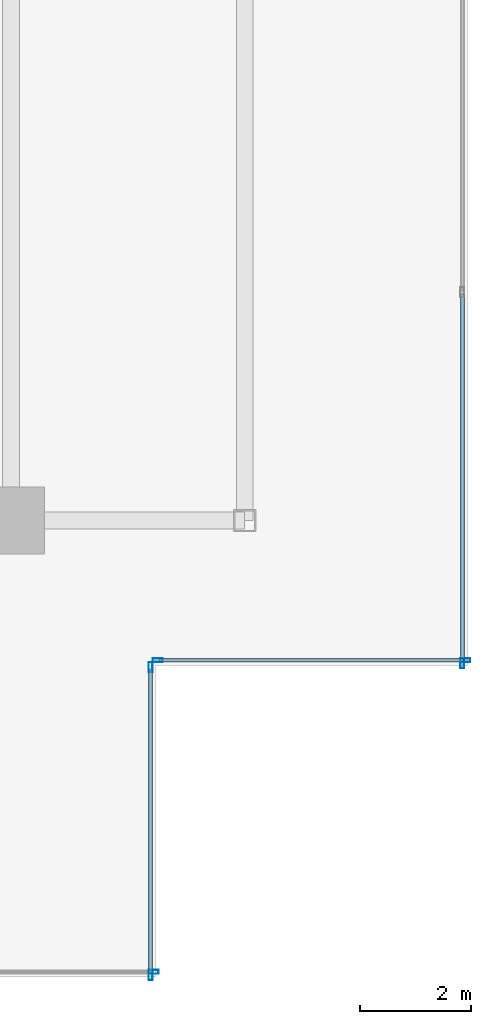
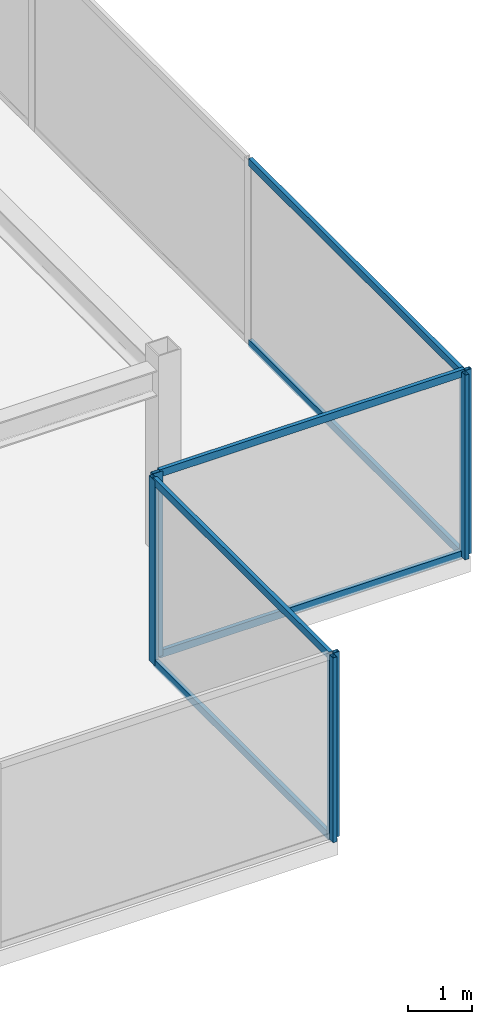
# One storey, part 16 of 25: 12 members, 4 elements without a shape of their own.
"""IFC4 building model written with IfcOpenShell, lengths in metres."""

import ifcopenshell
import ifcopenshell.guid

model = None  # the IFC model being written
_history = None  # IfcOwnerHistory: only IFC2X3 demands one
_inside = {}  # id of a spatial element -> (the spatial element, [elements in it])
_under = {}  # id of a project, library or spatial element -> (it, [spatial elements below it])
_declared = {}  # id of a project -> (the project, [libraries it declares])
_typed = {}  # id of a type object -> (the type object, [elements of that type])
_made_of = {}  # id of a material, layer set ... -> (it, [elements and type objects made of it])


def new_model(schema):
    """Start an empty IFC model of exactly this schema.

    Asked for "IFC4X3", IfcOpenShell would pick the latest addendum, in which some entities
    have other attributes; the version numbers below select the first issue.
    IFC2X3 requires an IfcOwnerHistory on every rooted entity: one is made here for all.
    """
    global model, _history
    if schema == "IFC4X3":
        model = ifcopenshell.file(schema_version=(4, 3, 0, 0))
    else:
        model = ifcopenshell.file(schema=schema)
    _inside.clear()
    _under.clear()
    _declared.clear()
    _typed.clear()
    _made_of.clear()
    _history = None
    if model.schema == "IFC2X3":
        org = make("IfcOrganization", Name="unknown")
        user = make(
            "IfcPersonAndOrganization",
            ThePerson=make("IfcPerson", FamilyName="unknown"),
            TheOrganization=org,
        )
        app = make(
            "IfcApplication",
            ApplicationDeveloper=org,
            Version="unknown",
            ApplicationFullName="unknown",
            ApplicationIdentifier="unknown",
        )
        _history = make(
            "IfcOwnerHistory",
            OwningUser=user,
            OwningApplication=app,
            ChangeAction="ADDED",
            CreationDate=0,
        )
    return model


def make(cls, **values):
    """One entity of the class cls with the attributes given. An attribute that is None is left unset."""
    return model.create_entity(
        cls, **{name: value for name, value in values.items() if value is not None}
    )


def rooted(cls, **values):
    """An entity with a GlobalId (a new one), such as an element, a storey or a relation."""
    return make(cls, GlobalId=ifcopenshell.guid.new(), OwnerHistory=_history, **values)


def si_unit(unit_type, name, prefix=None):
    """IfcSIUnit, for example si_unit("LENGTHUNIT", "METRE", prefix="MILLI")."""
    return make("IfcSIUnit", UnitType=unit_type, Prefix=prefix, Name=name)


def assignment(units):
    """IfcUnitAssignment: the units of a project."""
    return None if units is None else make("IfcUnitAssignment", Units=units)


def point(xyz):
    """IfcCartesianPoint."""
    return None if xyz is None else make("IfcCartesianPoint", Coordinates=xyz)


def direction(xyz):
    """IfcDirection."""
    return None if xyz is None else make("IfcDirection", DirectionRatios=xyz)


def frame(location, z_axis=None, x_axis=None):
    """IfcAxis2Placement3D, a coordinate frame: its origin and axes. An axis left out is left unset."""
    return make(
        "IfcAxis2Placement3D",
        Location=point(location),
        Axis=direction(z_axis),
        RefDirection=direction(x_axis),
    )


def frame_2d(location, x_axis=None):
    """IfcAxis2Placement2D, a coordinate frame in the plane: its origin and x axis."""
    return make(
        "IfcAxis2Placement2D", Location=point(location), RefDirection=direction(x_axis)
    )


def origin():
    """The frame at (0, 0, 0) with its axes left unset."""
    return frame((0.0, 0.0, 0.0))


def origin_2d():
    """The frame at (0, 0) in the plane with its x axis left unset."""
    return frame_2d((0.0, 0.0))


def place(relative_to, where):
    """IfcLocalPlacement: puts the frame where relative to a parent placement (None: the world)."""
    return make(
        "IfcLocalPlacement", PlacementRelTo=relative_to, RelativePlacement=where
    )


def context(
    kind, dimensions, precision=None, world=None, true_north=None, identifier=None
):
    """IfcGeometricRepresentationContext, for example the 3D "Model" context."""
    return make(
        "IfcGeometricRepresentationContext",
        ContextIdentifier=identifier,
        ContextType=kind,
        CoordinateSpaceDimension=dimensions,
        Precision=precision,
        WorldCoordinateSystem=world,
        TrueNorth=true_north,
    )


def subcontext(parent, identifier, kind, view, scale=None):
    """IfcGeometricRepresentationSubContext, for example "Body" below "Model"."""
    return make(
        "IfcGeometricRepresentationSubContext",
        ContextIdentifier=identifier,
        ContextType=kind,
        ParentContext=parent,
        TargetScale=scale,
        TargetView=view,
    )


def project(units=None, contexts=None):
    """IfcProject with its units and contexts."""
    return rooted(
        "IfcProject",
        Name="project",
        RepresentationContexts=contexts,
        UnitsInContext=assignment(units),
    )


def spatial(cls, under=None, at=None, **own):
    """A site, building, storey or space (cls), placed at a placement, below another one or the project."""
    s = rooted(cls, ObjectPlacement=at, **own)
    if under is not None:
        _under.setdefault(under.id(), (under, []))[1].append(s)
    return s


def profile(cls, at=None, kind="AREA", **sizes):
    """A parametric profile (cls). Its sizes go by their IFC names, for example OverallWidth=200.0."""
    return make(cls, ProfileType=kind, Position=at, **sizes)


def hollow_rectangle(**sizes):
    """IfcRectangleHollowProfileDef."""
    return profile("IfcRectangleHollowProfileDef", **sizes)


def extrude(swept, where, along, depth):
    """IfcExtrudedAreaSolid: the profile swept, set in the frame where, extruded along a direction by depth."""
    return make(
        "IfcExtrudedAreaSolid",
        SweptArea=swept,
        Position=where,
        ExtrudedDirection=direction(along),
        Depth=depth,
    )


def shape(context_of_items, identifier, shape_type, items):
    """IfcShapeRepresentation: the items that make up one representation, for example the "Body"."""
    return make(
        "IfcShapeRepresentation",
        ContextOfItems=context_of_items,
        RepresentationIdentifier=identifier,
        RepresentationType=shape_type,
        Items=items,
    )


def source(mapping_origin, context_of_items, identifier, shape_type, items):
    """IfcRepresentationMap: a shape defined once, which mapped items show again and again."""
    return make(
        "IfcRepresentationMap",
        MappingOrigin=mapping_origin,
        MappedRepresentation=shape(context_of_items, identifier, shape_type, items),
    )


def transform(
    local_origin,
    x_axis=None,
    y_axis=None,
    z_axis=None,
    scale=None,
    scale2=None,
    scale3=None,
    uniform=True,
):
    """IfcCartesianTransformationOperator3D, or its non-uniform kind. x_axis, y_axis, z_axis: its Axis1, 2, 3."""
    if uniform:
        return make(
            "IfcCartesianTransformationOperator3D",
            Axis1=direction(x_axis),
            Axis2=direction(y_axis),
            LocalOrigin=point(local_origin),
            Scale=scale,
            Axis3=direction(z_axis),
        )
    return make(
        "IfcCartesianTransformationOperator3DnonUniform",
        Axis1=direction(x_axis),
        Axis2=direction(y_axis),
        LocalOrigin=point(local_origin),
        Scale=scale,
        Axis3=direction(z_axis),
        Scale2=scale2,
        Scale3=scale3,
    )


def mapped(mapping_source, mapping_target):
    """IfcMappedItem: shows the shape of a source again, moved by a transform."""
    return make(
        "IfcMappedItem", MappingSource=mapping_source, MappingTarget=mapping_target
    )


def material(Name=None, Category=None):
    """IfcMaterial."""
    return make("IfcMaterial", Name=Name, Category=Category)


def material_profile(
    of_material, cross_section, Name=None, Category=None, Priority=None
):
    """IfcMaterialProfile: a cross section and its material."""
    return make(
        "IfcMaterialProfile",
        Name=Name,
        Material=of_material,
        Profile=cross_section,
        Priority=Priority,
        Category=Category,
    )


def profile_set(profiles, Name=None, composite=None):
    """IfcMaterialProfileSet."""
    return make(
        "IfcMaterialProfileSet",
        Name=Name,
        MaterialProfiles=profiles,
        CompositeProfile=composite,
    )


def made_of(thing, what):
    """Note that an element or type object is made of a material, layer set ...; save() writes the relation."""
    if what is not None:
        _made_of.setdefault(what.id(), (what, []))[1].append(thing)
    return thing


def type_object(cls, material=None, **own):
    """A type object (cls), such as IfcWallType, which elements share."""
    return made_of(rooted(cls, **own), material)


def type_shapes(of_type, sources):
    """Give a type object the sources (RepresentationMaps) that its elements show as mapped items."""
    of_type.RepresentationMaps = sources


def element(
    cls,
    number,
    at=None,
    inside=None,
    cuts=None,
    type_object=None,
    material=None,
    context=None,
    identifier="Body",
    shape_type=None,
    held_by="IfcProductDefinitionShape",
    body=None,
    shapes=None,
    **own,
):
    """One element of the class cls, such as IfcWall. Its Tag is "e" and its number.

    at: its placement. inside: the storey or other place that contains it. cuts: it is an
    opening in that element (IfcRelVoidsElement). A single representation is given by context,
    identifier, shape_type and body (its items); several are given by shapes. held_by: the class
    of the entity that holds the representations. save() writes the other relations.
    """
    e = rooted(cls, Tag="e%d" % number, ObjectPlacement=at, **own)
    if body is not None:
        shapes = [shape(context, identifier, shape_type, body)]
    if shapes is not None:
        e.Representation = make(held_by, Representations=shapes)
    if inside is not None:
        _inside.setdefault(inside.id(), (inside, []))[1].append(e)
    if cuts is not None:
        rooted(
            "IfcRelVoidsElement", RelatingBuildingElement=cuts, RelatedOpeningElement=e
        )
    if type_object is not None:
        _typed.setdefault(type_object.id(), (type_object, []))[1].append(e)
    return made_of(e, material)


def aggregate(whole, parts):
    """IfcRelAggregates: a whole, such as a stair, and the parts it consists of."""
    return rooted("IfcRelAggregates", RelatingObject=whole, RelatedObjects=parts)


def save(model, path):
    """Write the relations noted so far, then the file.

    IfcRelAggregates (storeys below a building ...), IfcRelContainedInSpatialStructure (elements
    in a storey), IfcRelDefinesByType, IfcRelAssociatesMaterial and IfcRelDeclares: one each for
    every whole, place, type object, material and project.
    """
    for whole, parts in _under.values():
        aggregate(whole, parts)
    for where, things in _inside.values():
        rooted(
            "IfcRelContainedInSpatialStructure",
            RelatedElements=things,
            RelatingStructure=where,
        )
    for kind, things in _typed.values():
        rooted("IfcRelDefinesByType", RelatedObjects=things, RelatingType=kind)
    for what, things in _made_of.values():
        rooted("IfcRelAssociatesMaterial", RelatedObjects=things, RelatingMaterial=what)
    for by, libraries in _declared.values():
        rooted("IfcRelDeclares", RelatingContext=by, RelatedDefinitions=libraries)
    model.write(path)


model = new_model("IFC4")

# Units and contexts
model_context = context("Model", 3, precision=1e-05, world=origin(), true_north=direction((0.0, 1.0)))
body_context = subcontext(model_context, "Body", "Model", "MODEL_VIEW")
ifc_project = project(units=[si_unit("LENGTHUNIT", "METRE"), si_unit("AREAUNIT", "SQUARE_METRE"), si_unit("VOLUMEUNIT", "CUBIC_METRE"), si_unit("PLANEANGLEUNIT", "RADIAN"), si_unit("MASSUNIT", "GRAM", prefix="KILO")], contexts=[model_context])

# Site, building, storey
site_placement = place(None, origin())
site = spatial("IfcSite", under=ifc_project, at=site_placement, CompositionType="ELEMENT")
building_placement = place(site_placement, origin())
building = spatial("IfcBuilding", under=site, at=building_placement, Name="Krantzveldt Concourse Tower", CompositionType="ELEMENT")
storey_placement = place(building_placement, frame((0.0, 0.0, 367.050048828125)))
storey = spatial("IfcBuildingStorey", under=building, at=storey_placement, Name="L90", CompositionType="ELEMENT", Elevation=367.050048828125)

# Curtain wall, members
ifc_material = material(Name="Anodised aluminium 6063-T6", Category="aluminium")
curtain_wall_type = type_object("IfcCurtainWallType", Name="CW7", PredefinedType="USERDEFINED", material=ifc_material)
curtain_wall_1_placement = place(storey_placement, origin())
curtain_wall_1 = element("IfcCurtainWall", 1, at=curtain_wall_1_placement, inside=storey, type_object=curtain_wall_type, Name="CW-L90-EAST-03", ObjectType="UNITISED CURTAIN WALL", PredefinedType="USERDEFINED")
ifc_material_profile_1 = material_profile(ifc_material, hollow_rectangle(XDim=0.070068359375, YDim=0.139892578125, WallThickness=0.0048828125, at=origin_2d()), Name="Anodised aluminium 6063-T6", Category="aluminium")
ifc_profile_set_1 = profile_set([ifc_material_profile_1], Name="Anodised aluminium 6063-T6 - ALU-TRAN 140x70x5")
member_type_1 = type_object("IfcMemberType", Name="CW-TRN-150", PredefinedType="USERDEFINED", material=ifc_profile_set_1)
shared_shape_1 = source(origin(), body_context, "Body", "SweptSolid", [
    extrude(hollow_rectangle(XDim=0.070068359375, YDim=0.139892578125, WallThickness=0.0048828125, at=origin_2d()), origin(), (0.0, 0.0, 1.0), 6.594970703125),
])
member_1_placement = place(storey_placement, frame((54.909912109375, 13.3701171875, 0.034912109375), z_axis=(0.0, 1.0, 0.0), x_axis=(-1.0, 0.0, 0.0)))
member_1 = element("IfcMember", 2, at=member_1_placement, type_object=member_type_1, Name="CW-CRN transom 1.1", ObjectType="TRANSOM", PredefinedType="USERDEFINED", context=body_context, shape_type="MappedRepresentation", body=[
    mapped(shared_shape_1, transform((0.0, 0.0, 0.0), x_axis=(1.0, 0.0, 0.0), y_axis=(0.0, 1.0, 0.0), z_axis=(0.0, 0.0, 1.0), scale=1.0)),
])
member_2_placement = place(storey_placement, frame((54.909912109375, 13.3701171875, 3.46484375), z_axis=(0.0, 1.0, 0.0), x_axis=(-1.0, 0.0, 0.0)))
member_2 = element("IfcMember", 3, at=member_2_placement, type_object=member_type_1, Name="CW-CRN transom 1.2", ObjectType="TRANSOM", PredefinedType="USERDEFINED", context=body_context, shape_type="MappedRepresentation", body=[
    mapped(shared_shape_1, transform((0.0, 0.0, 0.0), x_axis=(1.0, 0.0, 0.0), y_axis=(0.0, 1.0, 0.0), z_axis=(0.0, 0.0, 1.0), scale=1.0)),
])

# Curtain wall, member
curtain_wall_2_placement = place(storey_placement, origin())
curtain_wall_2 = element("IfcCurtainWall", 4, at=curtain_wall_2_placement, inside=storey, type_object=curtain_wall_type, Name="CW-L90-EAST-00", ObjectType="UNITISED CURTAIN WALL", PredefinedType="USERDEFINED")
ifc_material_profile_2 = material_profile(ifc_material, hollow_rectangle(XDim=0.070068359375, YDim=0.179931640625, WallThickness=0.0048828125, at=origin_2d()), Name="Anodised aluminium 6063-T6", Category="aluminium")
ifc_profile_set_2 = profile_set([ifc_material_profile_2], Name="Anodised aluminium 6063-T6 - ALU-MULL 180x70x5")
member_type_2 = type_object("IfcMemberType", Name="CW-MUL-180", PredefinedType="MULLION", material=ifc_profile_set_2)
shared_shape_2 = source(origin(), body_context, "Body", "SweptSolid", [
    extrude(hollow_rectangle(XDim=0.070068359375, YDim=0.179931640625, WallThickness=0.0048828125, at=origin_2d()), origin(), (0.0, 0.0, 1.0), 3.5),
])
type_shapes(member_type_2, [shared_shape_2])
member_3_placement = place(storey_placement, frame((49.364990234375, 7.7900390625, 0.0), z_axis=(0.0, 0.0, 1.0), x_axis=(0.0, 1.0, 0.0)))
member_3 = element("IfcMember", 5, at=member_3_placement, type_object=member_type_2, Name="CW-CRN mullion 3", PredefinedType="MULLION", context=body_context, shape_type="MappedRepresentation", body=[
    mapped(shared_shape_2, transform((0.0, 0.0, 0.0), x_axis=(1.0, 0.0, 0.0), y_axis=(0.0, 1.0, 0.0), z_axis=(0.0, 0.0, 1.0), scale=1.0)),
])
aggregate(curtain_wall_2, [member_3])

# Curtain wall, members
curtain_wall_3_placement = place(storey_placement, origin())
curtain_wall_3 = element("IfcCurtainWall", 6, at=curtain_wall_3_placement, inside=storey, type_object=curtain_wall_type, Name="CW-L90-EAST-01", ObjectType="UNITISED CURTAIN WALL", PredefinedType="USERDEFINED")
member_4_placement = place(storey_placement, frame((49.31005859375, 7.735107421875, 0.0), z_axis=(0.0, 0.0, 1.0), x_axis=(-1.0, 0.0, 0.0)))
member_4 = element("IfcMember", 7, at=member_4_placement, type_object=member_type_2, Name="CW-CRN mullion 1", PredefinedType="MULLION", context=body_context, shape_type="MappedRepresentation", body=[
    mapped(shared_shape_2, transform((0.0, 0.0, 0.0), x_axis=(1.0, 0.0, 0.0), y_axis=(0.0, 1.0, 0.0), z_axis=(0.0, 0.0, 1.0), scale=1.0)),
])
member_5_placement = place(storey_placement, frame((49.31005859375, 13.264892578125, 0.0), z_axis=(0.0, 0.0, 1.0), x_axis=(-1.0, 0.0, 0.0)))
member_5 = element("IfcMember", 8, at=member_5_placement, type_object=member_type_2, Name="CW-CRN mullion 2", PredefinedType="MULLION", context=body_context, shape_type="MappedRepresentation", body=[
    mapped(shared_shape_2, transform((0.0, 0.0, 0.0), x_axis=(1.0, 0.0, 0.0), y_axis=(0.0, 1.0, 0.0), z_axis=(0.0, 0.0, 1.0), scale=1.0)),
])

curtain_wall_4_placement = place(storey_placement, origin())
curtain_wall_4 = element("IfcCurtainWall", 9, at=curtain_wall_4_placement, inside=storey, type_object=curtain_wall_type, Name="CW-L90-EAST-02", ObjectType="UNITISED CURTAIN WALL", PredefinedType="USERDEFINED")
member_6_placement = place(storey_placement, frame((49.43505859375, 13.389892578125, 0.0), z_axis=(0.0, 0.0, 1.0), x_axis=(0.0, 1.0, 0.0)))
member_6 = element("IfcMember", 10, at=member_6_placement, type_object=member_type_2, Name="CW-CRN mullion 1", PredefinedType="MULLION", context=body_context, shape_type="MappedRepresentation", body=[
    mapped(shared_shape_2, transform((0.0, 0.0, 0.0), x_axis=(1.0, 0.0, 0.0), y_axis=(0.0, 1.0, 0.0), z_axis=(0.0, 0.0, 1.0), scale=1.0)),
])
member_7_placement = place(storey_placement, frame((54.965087890625, 13.389892578125, 0.0), z_axis=(0.0, 0.0, 1.0), x_axis=(0.0, 1.0, 0.0)))
member_7 = element("IfcMember", 11, at=member_7_placement, type_object=member_type_2, Name="CW-CRN mullion 2", PredefinedType="MULLION", context=body_context, shape_type="MappedRepresentation", body=[
    mapped(shared_shape_2, transform((0.0, 0.0, 0.0), x_axis=(1.0, 0.0, 0.0), y_axis=(0.0, 1.0, 0.0), z_axis=(0.0, 0.0, 1.0), scale=1.0)),
])

# Member
member_8_placement = place(storey_placement, frame((54.909912109375, 13.3349609375, 0.0), z_axis=(0.0, 0.0, 1.0), x_axis=(-1.0, 0.0, 0.0)))
member_8 = element("IfcMember", 12, at=member_8_placement, type_object=member_type_2, Name="CW-CRN mullion 1", PredefinedType="MULLION", context=body_context, shape_type="MappedRepresentation", body=[
    mapped(shared_shape_2, transform((0.0, 0.0, 0.0), x_axis=(1.0, 0.0, 0.0), y_axis=(0.0, 1.0, 0.0), z_axis=(0.0, 0.0, 1.0), scale=1.0)),
])

aggregate(curtain_wall_1, [member_8, member_1, member_2])

shared_shape_3 = source(origin(), body_context, "Body", "SweptSolid", [
    extrude(hollow_rectangle(XDim=0.070068359375, YDim=0.139892578125, WallThickness=0.0048828125, at=origin_2d()), origin(), (0.0, 0.0, 1.0), 5.4599609375),
])
type_shapes(member_type_1, [shared_shape_1, shared_shape_3])
member_9_placement = place(storey_placement, frame((49.31005859375, 7.77001953125, 0.034912109375), z_axis=(0.0, 1.0, 0.0), x_axis=(-1.0, 0.0, 0.0)))
member_9 = element("IfcMember", 13, at=member_9_placement, type_object=member_type_1, Name="CW-CRN transom 1.1", ObjectType="TRANSOM", PredefinedType="USERDEFINED", context=body_context, shape_type="MappedRepresentation", body=[
    mapped(shared_shape_3, transform((0.0, 0.0, 0.0), x_axis=(1.0, 0.0, 0.0), y_axis=(0.0, 1.0, 0.0), z_axis=(0.0, 0.0, 1.0), scale=1.0)),
])

member_10_placement = place(storey_placement, frame((49.31005859375, 7.77001953125, 3.46484375), z_axis=(0.0, 1.0, 0.0), x_axis=(-1.0, 0.0, 0.0)))
member_10 = element("IfcMember", 14, at=member_10_placement, type_object=member_type_1, Name="CW-CRN transom 1.2", ObjectType="TRANSOM", PredefinedType="USERDEFINED", context=body_context, shape_type="MappedRepresentation", body=[
    mapped(shared_shape_3, transform((0.0, 0.0, 0.0), x_axis=(1.0, 0.0, 0.0), y_axis=(0.0, 1.0, 0.0), z_axis=(0.0, 0.0, 1.0), scale=1.0)),
])

aggregate(curtain_wall_3, [member_4, member_5, member_9, member_10])

member_11_placement = place(storey_placement, frame((49.469970703125, 13.389892578125, 0.034912109375), z_axis=(1.0, 0.0, 0.0), x_axis=(0.0, 1.0, 0.0)))
member_11 = element("IfcMember", 15, at=member_11_placement, type_object=member_type_1, Name="CW-CRN transom 1.1", ObjectType="TRANSOM", PredefinedType="USERDEFINED", context=body_context, shape_type="MappedRepresentation", body=[
    mapped(shared_shape_3, transform((0.0, 0.0, 0.0), x_axis=(1.0, 0.0, 0.0), y_axis=(0.0, 1.0, 0.0), z_axis=(0.0, 0.0, 1.0), scale=1.0)),
])

member_12_placement = place(storey_placement, frame((49.469970703125, 13.389892578125, 3.46484375), z_axis=(1.0, 0.0, 0.0), x_axis=(0.0, 1.0, 0.0)))
member_12 = element("IfcMember", 16, at=member_12_placement, type_object=member_type_1, Name="CW-CRN transom 1.2", ObjectType="TRANSOM", PredefinedType="USERDEFINED", context=body_context, shape_type="MappedRepresentation", body=[
    mapped(shared_shape_3, transform((0.0, 0.0, 0.0), x_axis=(1.0, 0.0, 0.0), y_axis=(0.0, 1.0, 0.0), z_axis=(0.0, 0.0, 1.0), scale=1.0)),
])

aggregate(curtain_wall_4, [member_6, member_7, member_11, member_12])

save(model, "model.ifc")
